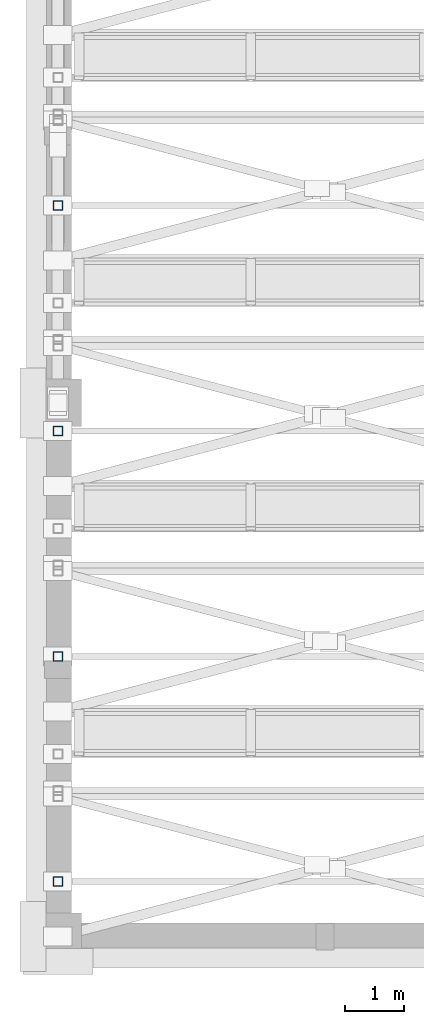
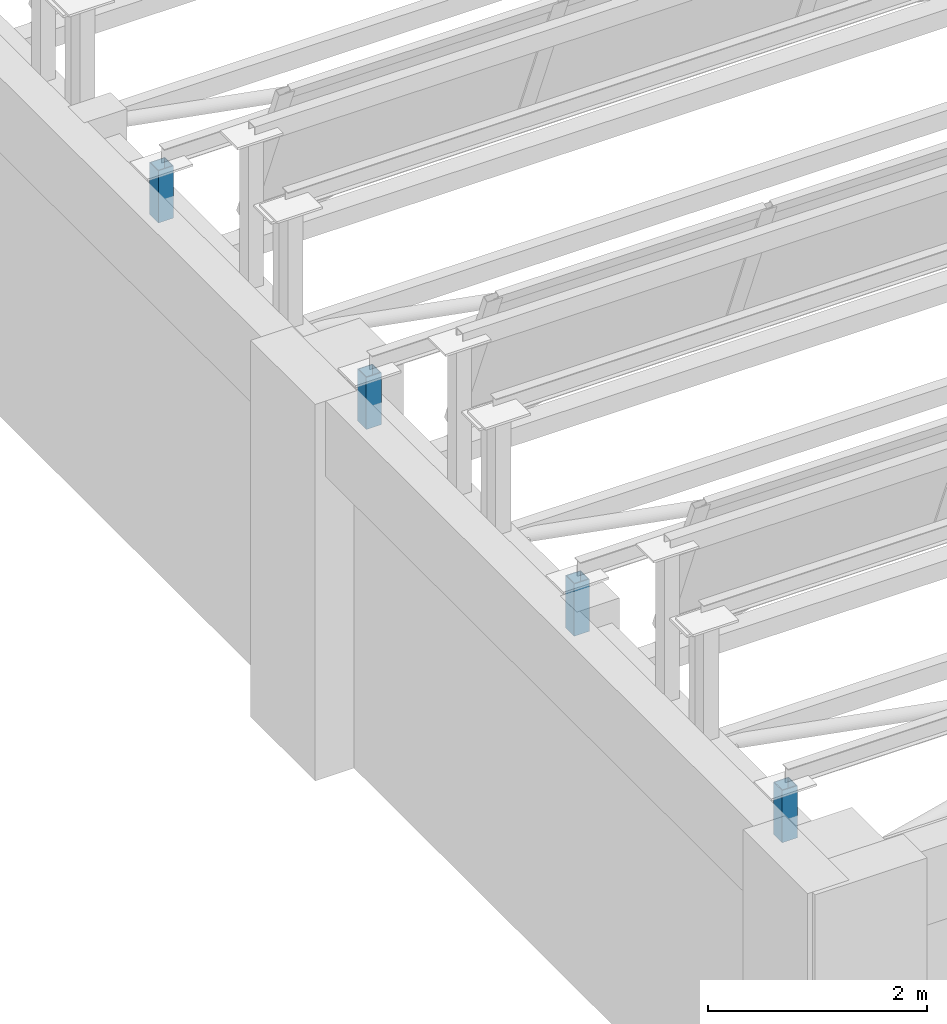
# One storey, part 74 of 108: 4 members.
"""IFC4 building model written with IfcOpenShell, lengths in metres."""

import ifcopenshell
import ifcopenshell.guid

model = None  # the IFC model being written
_history = None  # IfcOwnerHistory: only IFC2X3 demands one
_inside = {}  # id of a spatial element -> (the spatial element, [elements in it])
_under = {}  # id of a project, library or spatial element -> (it, [spatial elements below it])
_declared = {}  # id of a project -> (the project, [libraries it declares])
_typed = {}  # id of a type object -> (the type object, [elements of that type])
_made_of = {}  # id of a material, layer set ... -> (it, [elements and type objects made of it])


def new_model(schema):
    """Start an empty IFC model of exactly this schema.

    Asked for "IFC4X3", IfcOpenShell would pick the latest addendum, in which some entities
    have other attributes; the version numbers below select the first issue.
    IFC2X3 requires an IfcOwnerHistory on every rooted entity: one is made here for all.
    """
    global model, _history
    if schema == "IFC4X3":
        model = ifcopenshell.file(schema_version=(4, 3, 0, 0))
    else:
        model = ifcopenshell.file(schema=schema)
    _inside.clear()
    _under.clear()
    _declared.clear()
    _typed.clear()
    _made_of.clear()
    _history = None
    if model.schema == "IFC2X3":
        org = make("IfcOrganization", Name="unknown")
        user = make(
            "IfcPersonAndOrganization",
            ThePerson=make("IfcPerson", FamilyName="unknown"),
            TheOrganization=org,
        )
        app = make(
            "IfcApplication",
            ApplicationDeveloper=org,
            Version="unknown",
            ApplicationFullName="unknown",
            ApplicationIdentifier="unknown",
        )
        _history = make(
            "IfcOwnerHistory",
            OwningUser=user,
            OwningApplication=app,
            ChangeAction="ADDED",
            CreationDate=0,
        )
    return model


def make(cls, **values):
    """One entity of the class cls with the attributes given. An attribute that is None is left unset."""
    return model.create_entity(
        cls, **{name: value for name, value in values.items() if value is not None}
    )


def rooted(cls, **values):
    """An entity with a GlobalId (a new one), such as an element, a storey or a relation."""
    return make(cls, GlobalId=ifcopenshell.guid.new(), OwnerHistory=_history, **values)


def si_unit(unit_type, name, prefix=None):
    """IfcSIUnit, for example si_unit("LENGTHUNIT", "METRE", prefix="MILLI")."""
    return make("IfcSIUnit", UnitType=unit_type, Prefix=prefix, Name=name)


def assignment(units):
    """IfcUnitAssignment: the units of a project."""
    return None if units is None else make("IfcUnitAssignment", Units=units)


def point(xyz):
    """IfcCartesianPoint."""
    return None if xyz is None else make("IfcCartesianPoint", Coordinates=xyz)


def direction(xyz):
    """IfcDirection."""
    return None if xyz is None else make("IfcDirection", DirectionRatios=xyz)


def frame(location, z_axis=None, x_axis=None):
    """IfcAxis2Placement3D, a coordinate frame: its origin and axes. An axis left out is left unset."""
    return make(
        "IfcAxis2Placement3D",
        Location=point(location),
        Axis=direction(z_axis),
        RefDirection=direction(x_axis),
    )


def frame_2d(location, x_axis=None):
    """IfcAxis2Placement2D, a coordinate frame in the plane: its origin and x axis."""
    return make(
        "IfcAxis2Placement2D", Location=point(location), RefDirection=direction(x_axis)
    )


def origin():
    """The frame at (0, 0, 0) with its axes left unset."""
    return frame((0.0, 0.0, 0.0))


def origin_2d():
    """The frame at (0, 0) in the plane with its x axis left unset."""
    return frame_2d((0.0, 0.0))


def place(relative_to, where):
    """IfcLocalPlacement: puts the frame where relative to a parent placement (None: the world)."""
    return make(
        "IfcLocalPlacement", PlacementRelTo=relative_to, RelativePlacement=where
    )


def context(
    kind, dimensions, precision=None, world=None, true_north=None, identifier=None
):
    """IfcGeometricRepresentationContext, for example the 3D "Model" context."""
    return make(
        "IfcGeometricRepresentationContext",
        ContextIdentifier=identifier,
        ContextType=kind,
        CoordinateSpaceDimension=dimensions,
        Precision=precision,
        WorldCoordinateSystem=world,
        TrueNorth=true_north,
    )


def subcontext(parent, identifier, kind, view, scale=None):
    """IfcGeometricRepresentationSubContext, for example "Body" below "Model"."""
    return make(
        "IfcGeometricRepresentationSubContext",
        ContextIdentifier=identifier,
        ContextType=kind,
        ParentContext=parent,
        TargetScale=scale,
        TargetView=view,
    )


def project(units=None, contexts=None):
    """IfcProject with its units and contexts."""
    return rooted(
        "IfcProject",
        Name="project",
        RepresentationContexts=contexts,
        UnitsInContext=assignment(units),
    )


def spatial(cls, under=None, at=None, **own):
    """A site, building, storey or space (cls), placed at a placement, below another one or the project."""
    s = rooted(cls, ObjectPlacement=at, **own)
    if under is not None:
        _under.setdefault(under.id(), (under, []))[1].append(s)
    return s


def profile(cls, at=None, kind="AREA", **sizes):
    """A parametric profile (cls). Its sizes go by their IFC names, for example OverallWidth=200.0."""
    return make(cls, ProfileType=kind, Position=at, **sizes)


def hollow_rectangle(**sizes):
    """IfcRectangleHollowProfileDef."""
    return profile("IfcRectangleHollowProfileDef", **sizes)


def extrude(swept, where, along, depth):
    """IfcExtrudedAreaSolid: the profile swept, set in the frame where, extruded along a direction by depth."""
    return make(
        "IfcExtrudedAreaSolid",
        SweptArea=swept,
        Position=where,
        ExtrudedDirection=direction(along),
        Depth=depth,
    )


def shape(context_of_items, identifier, shape_type, items):
    """IfcShapeRepresentation: the items that make up one representation, for example the "Body"."""
    return make(
        "IfcShapeRepresentation",
        ContextOfItems=context_of_items,
        RepresentationIdentifier=identifier,
        RepresentationType=shape_type,
        Items=items,
    )


def material(Name=None, Category=None):
    """IfcMaterial."""
    return make("IfcMaterial", Name=Name, Category=Category)


def material_profile(
    of_material, cross_section, Name=None, Category=None, Priority=None
):
    """IfcMaterialProfile: a cross section and its material."""
    return make(
        "IfcMaterialProfile",
        Name=Name,
        Material=of_material,
        Profile=cross_section,
        Priority=Priority,
        Category=Category,
    )


def profile_set(profiles, Name=None, composite=None):
    """IfcMaterialProfileSet."""
    return make(
        "IfcMaterialProfileSet",
        Name=Name,
        MaterialProfiles=profiles,
        CompositeProfile=composite,
    )


def made_of(thing, what):
    """Note that an element or type object is made of a material, layer set ...; save() writes the relation."""
    if what is not None:
        _made_of.setdefault(what.id(), (what, []))[1].append(thing)
    return thing


def type_object(cls, material=None, **own):
    """A type object (cls), such as IfcWallType, which elements share."""
    return made_of(rooted(cls, **own), material)


def element(
    cls,
    number,
    at=None,
    inside=None,
    cuts=None,
    type_object=None,
    material=None,
    context=None,
    identifier="Body",
    shape_type=None,
    held_by="IfcProductDefinitionShape",
    body=None,
    shapes=None,
    **own,
):
    """One element of the class cls, such as IfcWall. Its Tag is "e" and its number.

    at: its placement. inside: the storey or other place that contains it. cuts: it is an
    opening in that element (IfcRelVoidsElement). A single representation is given by context,
    identifier, shape_type and body (its items); several are given by shapes. held_by: the class
    of the entity that holds the representations. save() writes the other relations.
    """
    e = rooted(cls, Tag="e%d" % number, ObjectPlacement=at, **own)
    if body is not None:
        shapes = [shape(context, identifier, shape_type, body)]
    if shapes is not None:
        e.Representation = make(held_by, Representations=shapes)
    if inside is not None:
        _inside.setdefault(inside.id(), (inside, []))[1].append(e)
    if cuts is not None:
        rooted(
            "IfcRelVoidsElement", RelatingBuildingElement=cuts, RelatedOpeningElement=e
        )
    if type_object is not None:
        _typed.setdefault(type_object.id(), (type_object, []))[1].append(e)
    return made_of(e, material)


def aggregate(whole, parts):
    """IfcRelAggregates: a whole, such as a stair, and the parts it consists of."""
    return rooted("IfcRelAggregates", RelatingObject=whole, RelatedObjects=parts)


def save(model, path):
    """Write the relations noted so far, then the file.

    IfcRelAggregates (storeys below a building ...), IfcRelContainedInSpatialStructure (elements
    in a storey), IfcRelDefinesByType, IfcRelAssociatesMaterial and IfcRelDeclares: one each for
    every whole, place, type object, material and project.
    """
    for whole, parts in _under.values():
        aggregate(whole, parts)
    for where, things in _inside.values():
        rooted(
            "IfcRelContainedInSpatialStructure",
            RelatedElements=things,
            RelatingStructure=where,
        )
    for kind, things in _typed.values():
        rooted("IfcRelDefinesByType", RelatedObjects=things, RelatingType=kind)
    for what, things in _made_of.values():
        rooted("IfcRelAssociatesMaterial", RelatedObjects=things, RelatingMaterial=what)
    for by, libraries in _declared.values():
        rooted("IfcRelDeclares", RelatingContext=by, RelatedDefinitions=libraries)
    model.write(path)


model = new_model("IFC4")

# Units and contexts
model_context = context("Model", 3, precision=1e-05, world=origin(), true_north=direction((0.0, 1.0)))
body_context = subcontext(model_context, "Body", "Model", "MODEL_VIEW")
ifc_project = project(units=[si_unit("LENGTHUNIT", "METRE"), si_unit("AREAUNIT", "SQUARE_METRE"), si_unit("VOLUMEUNIT", "CUBIC_METRE"), si_unit("PLANEANGLEUNIT", "RADIAN"), si_unit("MASSUNIT", "GRAM", prefix="KILO")], contexts=[model_context])

# Site, building, storey
site_placement = place(None, origin())
site = spatial("IfcSite", under=ifc_project, at=site_placement, CompositionType="ELEMENT")
building_placement = place(site_placement, origin())
building = spatial("IfcBuilding", under=site, at=building_placement, Name="Lykobir Media Centre", CompositionType="ELEMENT")
storey_placement = place(building_placement, frame((0.0, 0.0, 15.0)))
storey = spatial("IfcBuildingStorey", under=building, at=storey_placement, Name="L03", CompositionType="ELEMENT", Elevation=15.0)

# Members
ifc_material = material(Name="Steel S355", Category="steel")
ifc_material_profile = material_profile(ifc_material, hollow_rectangle(XDim=0.159912109375, YDim=0.159912109375, WallThickness=0.008056640625, at=origin_2d()), Name="SHS 160x160x8")
ifc_profile_set = profile_set([ifc_material_profile], Name="Steel S355")
member_type = type_object("IfcMemberType", Name="BR-SHS160-E", PredefinedType="BRACE", material=ifc_profile_set)
for number, where, z_axis, x_axis, name in (
    (1, (0.0, 0.92724609375, 3.699951171875), (0.0, 0.0, 1.0), (1.0, 0.0, 0.0), "Diagonal brace MEM2-L03-0000-0009-0187-0000-0009-0157"),
    (2, (0.0, 4.727294921875, 3.699951171875), (0.0, 0.0, 1.0), (1.0, 0.0, 0.0), "Diagonal brace MEM2-L03-0000-0047-0187-0000-0047-0177"),
    (3, (0.0, 8.52734375, 3.699951171875), (0.0, 0.0, 1.0), (1.0, 0.0, 0.0), "Diagonal brace MEM2-L03-0000-0085-0187-0000-0085-0197"),
    (4, (0.0, 12.327392578125, 3.699951171875), (0.0, 0.0, 1.0), (1.0, 0.0, 0.0), "Diagonal brace MEM2-L03-0000-0123-0187-0000-0123-0217"),
):
    element("IfcMember", number, at=place(storey_placement, frame(where, z_axis=z_axis, x_axis=x_axis)), inside=storey, type_object=member_type, Name=name, PredefinedType="BRACE", context=body_context, shape_type="SweptSolid", body=[
        extrude(hollow_rectangle(XDim=0.159912109375, YDim=0.159912109375, WallThickness=0.008056640625, at=origin_2d()), origin(), (0.0, 0.0, 1.0), 0.582763671875),
    ])

save(model, "model.ifc")
